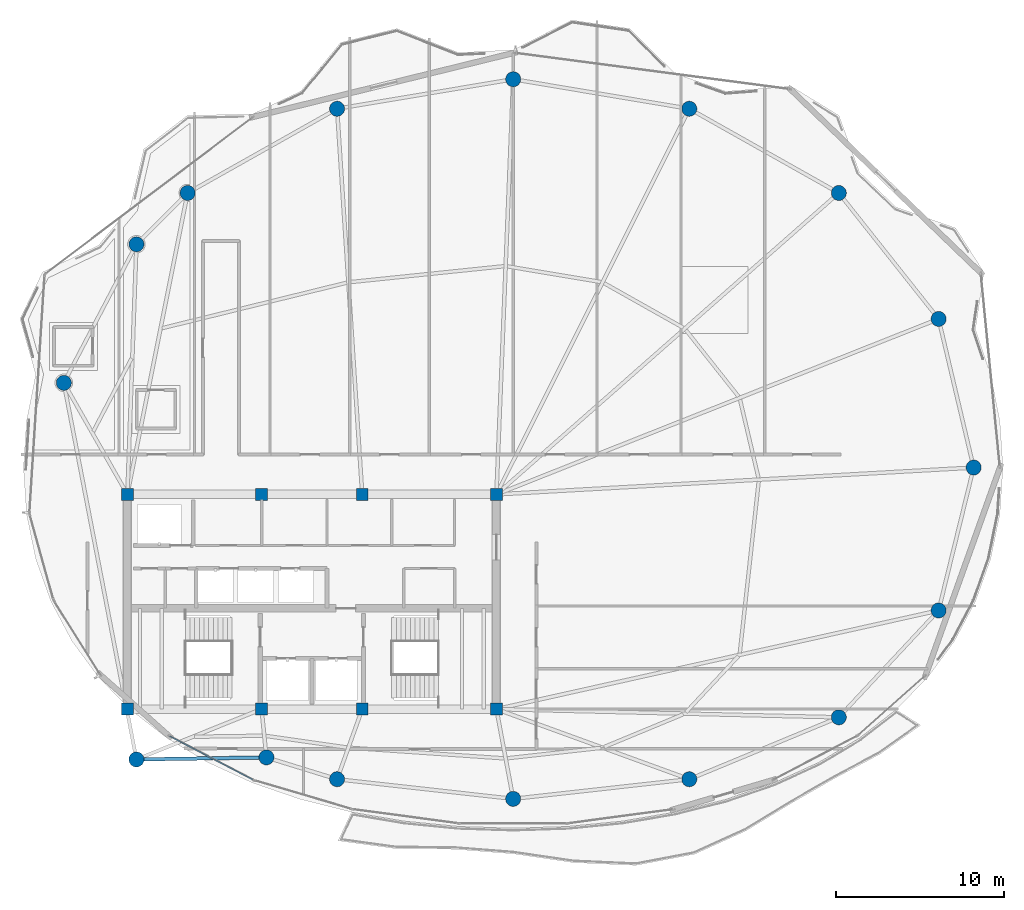
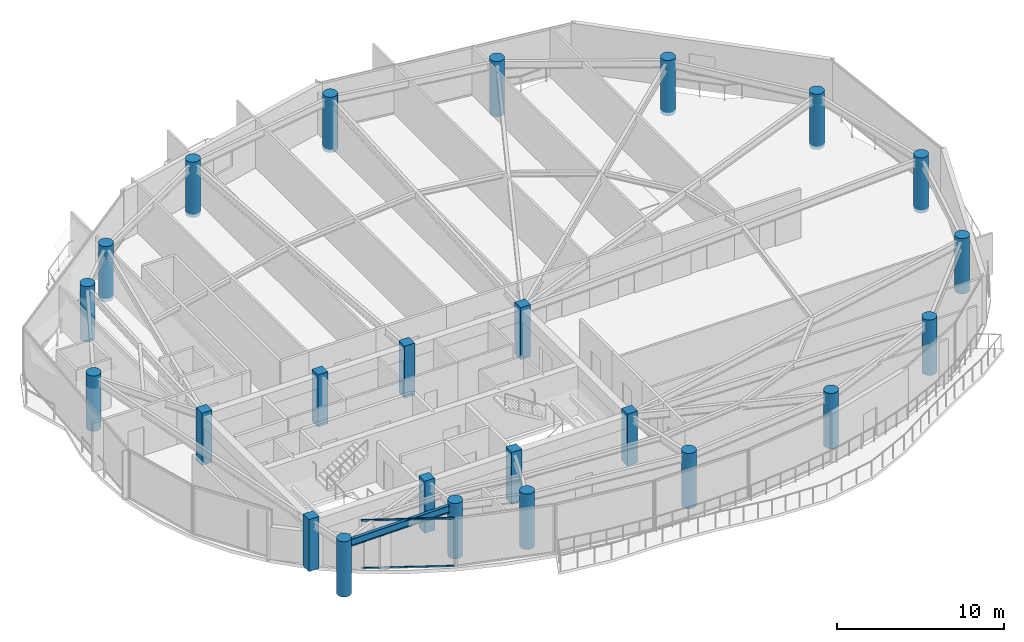
# One storey, part 1 of 30: 24 columns, 2 members, 1 beam, 1 element without a shape of its own.
"""IFC4 building model written with IfcOpenShell, lengths in metres."""

from ifc_helpers import new_model, si_unit, direction, frame, origin, origin_2d, place, context, subcontext, project, spatial, rectangle, hollow_rectangle, circle, i_section, extrude, material, layer, layer_set, material_profile, profile_set, type_object, element, aggregate, save


model = new_model("IFC4")

# Units and contexts
model_context = context("Model", 3, precision=1e-05, world=origin(), true_north=direction((0.0, 1.0)))
body_context = subcontext(model_context, "Body", "Model", "MODEL_VIEW")
ifc_project = project(units=[si_unit("LENGTHUNIT", "METRE"), si_unit("AREAUNIT", "SQUARE_METRE"), si_unit("VOLUMEUNIT", "CUBIC_METRE"), si_unit("PLANEANGLEUNIT", "RADIAN"), si_unit("MASSUNIT", "GRAM", prefix="KILO")], contexts=[model_context])

# Site, building, storey
site_placement = place(None, origin())
site = spatial("IfcSite", under=ifc_project, at=site_placement, CompositionType="ELEMENT")
building_placement = place(site_placement, origin())
building = spatial("IfcBuilding", under=site, at=building_placement, Name="Kazevale Care Tower and Concert Hall", CompositionType="ELEMENT")
storey_placement = place(building_placement, frame((0.0, 0.0, 258.60009765625)))
storey = spatial("IfcBuildingStorey", under=building, at=storey_placement, Name="L68", CompositionType="ELEMENT", Elevation=258.60009765625)

# Columns
ifc_material_1 = material(Name="Concrete C50", Category="concrete")
ifc_material_profile_1 = material_profile(ifc_material_1, rectangle(XDim=0.699951171875, YDim=0.699951171875, at=origin_2d()), Name="RC-SQ700")
ifc_profile_set_1 = profile_set([ifc_material_profile_1], Name="Concrete C50")
column_type_1 = type_object("IfcColumnType", Name="Core Column SQ700 C50", PredefinedType="COLUMN", material=ifc_profile_set_1)
for number, where, z_axis, x_axis, name in (
    (1, (22.0, 23.60009765625, 0.0), (0.0, 0.0, 1.0), (1.0, 0.0, 0.0), "col:L68:CC-01"),
    (2, (30.0, 23.60009765625, 0.0), (0.0, 0.0, 1.0), (1.0, 0.0, 0.0), "col:L68:CC-02"),
    (3, (36.0, 23.60009765625, 0.0), (0.0, 0.0, 1.0), (1.0, 0.0, 0.0), "col:L68:CC-03"),
    (4, (44.0, 23.60009765625, 0.0), (0.0, 0.0, 1.0), (1.0, 0.0, 0.0), "col:L68:CC-04"),
    (5, (44.0, 36.39990234375, 0.0), (0.0, 0.0, 1.0), (1.0, 0.0, 0.0), "col:L68:CC-05"),
    (6, (36.0, 36.39990234375, 0.0), (0.0, 0.0, 1.0), (1.0, 0.0, 0.0), "col:L68:CC-06"),
    (7, (30.0, 36.39990234375, 0.0), (0.0, 0.0, 1.0), (1.0, 0.0, 0.0), "col:L68:CC-07"),
    (8, (22.0, 36.39990234375, 0.0), (0.0, 0.0, 1.0), (1.0, 0.0, 0.0), "col:L68:CC-08"),
):
    element("IfcColumn", number, at=place(storey_placement, frame(where, z_axis=z_axis, x_axis=x_axis)), inside=storey, type_object=column_type_1, Name=name, PredefinedType="COLUMN", context=body_context, shape_type="SweptSolid", body=[
        extrude(rectangle(XDim=0.699951171875, YDim=0.699951171875, at=origin_2d()), origin(), (0.0, 0.0, 1.0), 3.7998046875),
    ])
ifc_material_profile_2 = material_profile(ifc_material_1, circle(Radius=0.449951171875, at=origin_2d()), Name="RC-CIR900")
ifc_profile_set_2 = profile_set([ifc_material_profile_2], Name="Concrete C50")
column_type_2 = type_object("IfcColumnType", Name="Perimeter Column CIR900 C50", PredefinedType="COLUMN", material=ifc_profile_set_2)
for number, where, z_axis, x_axis, name in (
    (9, (72.449951171875, 38.0, -0.239990234375), (0.0, 0.0, 1.0), (1.0, 0.0, 0.0), "col:L68:PC-01"),
    (10, (70.360107421875, 46.860107421875, -0.239990234375), (0.0, 0.0, 1.0), (1.0, 0.0, 0.0), "col:L68:PC-02"),
    (11, (64.409912109375, 54.3701171875, -0.239990234375), (0.0, 0.0, 1.0), (1.0, 0.0, 0.0), "col:L68:PC-03"),
    (12, (55.5, 59.389892578125, -0.239990234375), (0.0, 0.0, 1.0), (1.0, 0.0, 0.0), "col:L68:PC-04"),
    (13, (45.0, 61.14990234375, -0.239990234375), (0.0, 0.0, 1.0), (1.0, 0.0, 0.0), "col:L68:PC-05"),
    (14, (34.5, 59.389892578125, -0.239990234375), (0.0, 0.0, 1.0), (1.0, 0.0, 0.0), "col:L68:PC-06"),
    (15, (25.590087890625, 54.3701171875, -0.239990234375), (0.0, 0.0, 1.0), (1.0, 0.0, 0.0), "col:L68:PC-07"),
    (16, (22.5400390625, 51.31005859375, -0.239990234375), (0.0, 0.0, 1.0), (1.0, 0.0, 0.0), "col:L68:PC-08"),
    (17, (18.2099609375, 43.050048828125, -0.239990234375), (0.0, 0.0, 1.0), (1.0, 0.0, 0.0), "col:L68:PC-09"),
    (18, (22.5400390625, 20.60009765625, -0.239990234375), (0.0, 0.0, 1.0), (1.0, 0.0, 0.0), "col:L68:PC-10"),
    (19, (30.2900390625, 20.719970703125, -0.239990234375), (0.0, 0.0, 1.0), (1.0, 0.0, 0.0), "col:L68:PC-11"),
    (20, (34.5, 19.419921875, -0.239990234375), (0.0, 0.0, 1.0), (1.0, 0.0, 0.0), "col:L68:PC-12"),
    (21, (45.0, 18.25, -0.239990234375), (0.0, 0.0, 1.0), (1.0, 0.0, 0.0), "col:L68:PC-13"),
    (22, (55.5, 19.419921875, -0.239990234375), (0.0, 0.0, 1.0), (1.0, 0.0, 0.0), "col:L68:PC-14"),
    (23, (64.409912109375, 23.110107421875, -0.239990234375), (0.0, 0.0, 1.0), (1.0, 0.0, 0.0), "col:L68:PC-15"),
    (24, (70.360107421875, 29.47998046875, -0.239990234375), (0.0, 0.0, 1.0), (1.0, 0.0, 0.0), "col:L68:PC-16"),
):
    element("IfcColumn", number, at=place(storey_placement, frame(where, z_axis=z_axis, x_axis=x_axis)), inside=storey, type_object=column_type_2, Name=name, PredefinedType="COLUMN", context=body_context, shape_type="SweptSolid", body=[
        extrude(circle(Radius=0.449951171875, at=origin_2d()), origin(), (0.0, 0.0, 1.0), 4.039794921875),
    ])

# Curtain wall, members
ifc_material_2 = material(Name="Aluminium 6063-T6 and Low-E Glass", Category="aluminium")
ifc_layer = layer(ifc_material_2, 0.179931640625)
ifc_layer_set = layer_set([ifc_layer], Name="Aluminium 6063-T6 and Low-E Glass")
curtain_wall_type = type_object("IfcCurtainWallType", Name="Sheltered Concave Balcony Curtain Wall CW-5", PredefinedType="NOTDEFINED", material=ifc_layer_set)
curtain_wall_placement = place(storey_placement, origin())
curtain_wall = element("IfcCurtainWall", 25, at=curtain_wall_placement, inside=storey, type_object=curtain_wall_type, Name="cw:L68:f09", PredefinedType="NOTDEFINED")
ifc_material_3 = material(Name="Aluminium 6063-T6", Category="aluminium")
ifc_material_profile_3 = material_profile(ifc_material_3, hollow_rectangle(XDim=0.074951171875, YDim=0.1201171875, WallThickness=0.00390625, at=origin_2d()), Name="ALU75x120x4")
ifc_profile_set_3 = profile_set([ifc_material_profile_3], Name="Aluminium 6063-T6")
member_type = type_object("IfcMemberType", Name="CW-5 Transom ALU75x120x4", PredefinedType="USERDEFINED", material=ifc_profile_set_3)
member_1_placement = place(storey_placement, frame((29.464599609375, 19.399658203125, 0.037353515625), z_axis=(-0.885987336027, 0.463709435314, 0.0), x_axis=(-0.463709435314, -0.885987336027, 0.0)))
member_1 = element("IfcMember", 26, at=member_1_placement, type_object=member_type, Name="CW-5 transom 1.1", ObjectType="TRANSOM", PredefinedType="USERDEFINED", context=body_context, shape_type="SweptSolid", body=[
    extrude(hollow_rectangle(XDim=0.074951171875, YDim=0.1201171875, WallThickness=0.00390625, at=origin_2d()), origin(), (0.0, 0.0, 1.0), 5.580322265625),
])
member_2_placement = place(storey_placement, frame((29.464599609375, 19.399658203125, 3.5224609375), z_axis=(-0.885987336027, 0.463709435314, 0.0), x_axis=(-0.463709435314, -0.885987336027, 0.0)))
member_2 = element("IfcMember", 27, at=member_2_placement, type_object=member_type, Name="CW-5 transom 1.2", ObjectType="TRANSOM", PredefinedType="USERDEFINED", context=body_context, shape_type="SweptSolid", body=[
    extrude(hollow_rectangle(XDim=0.074951171875, YDim=0.1201171875, WallThickness=0.00390625, at=origin_2d()), origin(), (0.0, 0.0, 1.0), 5.580322265625),
])
aggregate(curtain_wall, [member_1, member_2])

# Beam
ifc_material_4 = material(Name="Steel ASTM A572 Gr 50", Category="steel")
ifc_material_profile_4 = material_profile(ifc_material_4, i_section(OverallWidth=0.208984375, OverallDepth=0.532958984375, WebThickness=0.01025390625, FlangeThickness=0.015625, at=origin_2d()), Name="W530x92")
ifc_profile_set_4 = profile_set([ifc_material_profile_4], Name="Steel ASTM A572 Gr 50")
beam_type = type_object("IfcBeamType", Name="Upper Ring Beam W530x92", PredefinedType="BEAM", material=ifc_profile_set_4)
beam_placement = place(storey_placement, frame((22.5400390625, 20.60009765625, 3.29345703125), z_axis=(0.999880399838, 0.015465640005, 0.0), x_axis=(-0.015465640005, 0.999880399838, 0.0)))
element("IfcBeam", 28, at=beam_placement, inside=storey, type_object=beam_type, Name="beam:L68:ring:10", PredefinedType="BEAM", context=body_context, shape_type="SweptSolid", body=[
    extrude(i_section(OverallWidth=0.208984375, OverallDepth=0.532958984375, WebThickness=0.01025390625, FlangeThickness=0.015625, at=origin_2d()), origin(), (0.0, 0.0, 1.0), 7.7509765625),
])

save(model, "model.ifc")
